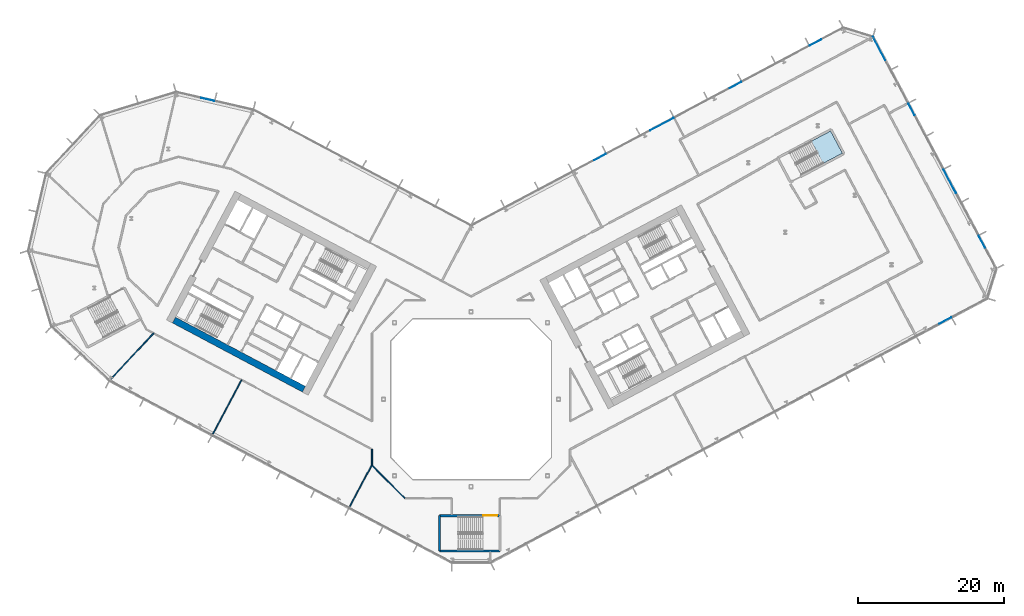
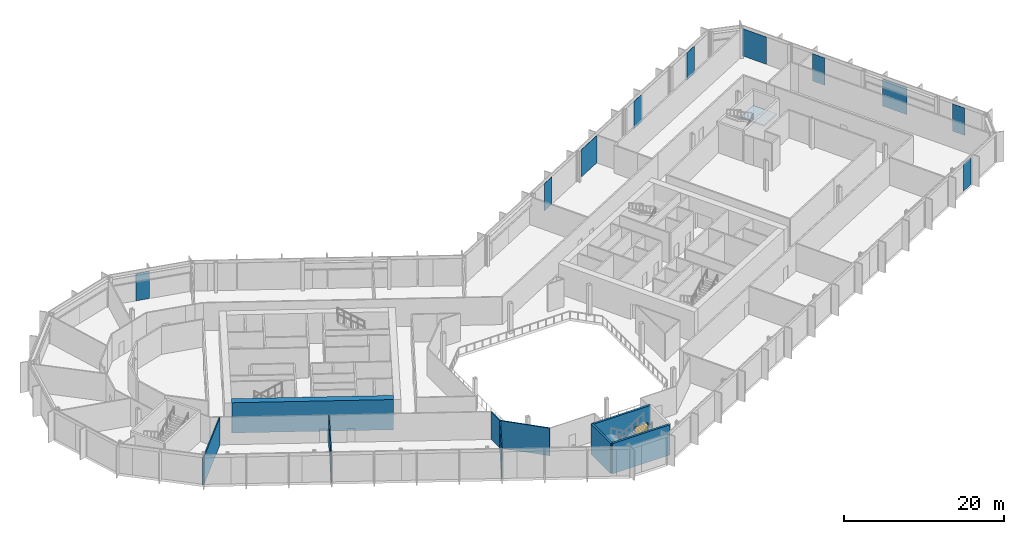
# One storey, part 13 of 30: 10 plates, 9 walls, 1 door, 1 slab, 1 opening, 5 elements without a shape of their own.
"""IFC4 building model written with IfcOpenShell, lengths in metres."""

from ifc_helpers import new_model, si_unit, direction, frame, frame_2d, origin, origin_2d, place, context, subcontext, project, spatial, polyline, rectangle, outline, extrude, material, layer, layer_set, type_object, element, fill, aggregate, save


model = new_model("IFC4")

# Units and contexts
model_context = context("Model", 3, precision=1e-05, world=origin(), true_north=direction((0.0, 1.0)))
body_context = subcontext(model_context, "Body", "Model", "MODEL_VIEW")
ifc_project = project(units=[si_unit("LENGTHUNIT", "METRE"), si_unit("AREAUNIT", "SQUARE_METRE"), si_unit("VOLUMEUNIT", "CUBIC_METRE"), si_unit("PLANEANGLEUNIT", "RADIAN"), si_unit("MASSUNIT", "GRAM", prefix="KILO")], contexts=[model_context])

# Site, building, storey
site_placement = place(None, origin())
site = spatial("IfcSite", under=ifc_project, at=site_placement, CompositionType="ELEMENT")
building_placement = place(site_placement, origin())
building = spatial("IfcBuilding", under=site, at=building_placement, Name="Cormorant Relay Tower", CompositionType="ELEMENT")
storey_placement = place(building_placement, frame((0.0, 0.0, 89.199951171875)))
storey = spatial("IfcBuildingStorey", under=building, at=storey_placement, Name="L17", CompositionType="ELEMENT", Elevation=89.199951171875)

# Curtain wall, plate
ifc_material_1 = material(Name="Aluminium 6063-T6 anodised bronze", Category="aluminium")
ifc_layer_1 = layer(ifc_material_1, 0.199951171875)
ifc_layer_set_1 = layer_set([ifc_layer_1], Name="CW1 unitised bronze curtain wall with vertical fins")
curtain_wall_type = type_object("IfcCurtainWallType", Name="CW1 unitised bronze curtain wall with vertical fins", PredefinedType="NOTDEFINED", material=ifc_layer_set_1)
curtain_wall_1_placement = place(storey_placement, origin())
curtain_wall_1 = element("IfcCurtainWall", 1, at=curtain_wall_1_placement, inside=storey, type_object=curtain_wall_type, Name="CW1 curtain wall 2", PredefinedType="NOTDEFINED")
ifc_material_2 = material(Name="Tinted laminated glass", Category="glass")
ifc_layer_2 = layer(ifc_material_2, 0.0400390625)
ifc_layer_set_2 = layer_set([ifc_layer_2], Name="CW1 tinted vision panel 1800 module")
plate_type_1 = type_object("IfcPlateType", Name="CW1 tinted vision panel 1800 module", PredefinedType="CURTAIN_PANEL", material=ifc_layer_set_2)
plate_1_placement = place(storey_placement, frame((65.064208984375, 10.78857421875, 0.0), z_axis=(0.0, 0.0, 1.0), x_axis=(0.882947592859, 0.469471562786, 0.0)))
plate_1 = element("IfcPlate", 2, at=plate_1_placement, type_object=plate_type_1, Name="CW1 panel V12", PredefinedType="CURTAIN_PANEL", context=body_context, shape_type="SweptSolid", body=[
    extrude(rectangle(XDim=1.800048828125, YDim=0.0400390625, at=origin_2d()), origin(), (0.0, 0.0, 1.0), 4.14990234375),
])
aggregate(curtain_wall_1, [plate_1])

# Curtain wall, plates
curtain_wall_2_placement = place(storey_placement, origin())
curtain_wall_2 = element("IfcCurtainWall", 3, at=curtain_wall_2_placement, inside=storey, type_object=curtain_wall_type, Name="CW1 curtain wall 4", PredefinedType="NOTDEFINED")
plate_2_placement = place(storey_placement, frame((70.083740234375, 21.598388671875, 0.0), z_axis=(0.0, 0.0, 1.0), x_axis=(-0.469471562786, 0.882947592859, 0.0)))
plate_2 = element("IfcPlate", 4, at=plate_2_placement, type_object=plate_type_1, Name="CW1 panel V01", PredefinedType="CURTAIN_PANEL", context=body_context, shape_type="SweptSolid", body=[
    extrude(rectangle(XDim=1.800048828125, YDim=0.0400390625, at=origin_2d()), origin(), (0.0, 0.0, 1.0), 4.14990234375),
])
plate_3_placement = place(storey_placement, frame((60.426025390625, 39.76171875, 0.0), z_axis=(0.0, 0.0, 1.0), x_axis=(-0.469471562786, 0.882947592859, 0.0)))
plate_3 = element("IfcPlate", 5, at=plate_3_placement, type_object=plate_type_1, Name="CW1 panel V05", PredefinedType="CURTAIN_PANEL", context=body_context, shape_type="SweptSolid", body=[
    extrude(rectangle(XDim=1.800048828125, YDim=0.0400390625, at=origin_2d()), origin(), (0.0, 0.0, 1.0), 4.14990234375),
])

curtain_wall_3_placement = place(storey_placement, origin())
curtain_wall_3 = element("IfcCurtainWall", 6, at=curtain_wall_3_placement, inside=storey, type_object=curtain_wall_type, Name="CW1 curtain wall 6", PredefinedType="NOTDEFINED")
plate_4_placement = place(storey_placement, frame((47.273681640625, 48.9423828125, 0.0), z_axis=(0.0, 0.0, 1.0), x_axis=(-0.882947592859, -0.469471562786, 0.0)))
plate_4 = element("IfcPlate", 7, at=plate_4_placement, type_object=plate_type_1, Name="CW1 panel V01", PredefinedType="CURTAIN_PANEL", context=body_context, shape_type="SweptSolid", body=[
    extrude(rectangle(XDim=1.800048828125, YDim=0.0400390625, at=origin_2d()), origin(), (0.0, 0.0, 1.0), 4.14990234375),
])
plate_5_placement = place(storey_placement, frame((36.267578125, 43.09033203125, 0.0), z_axis=(0.0, 0.0, 1.0), x_axis=(-0.882947592859, -0.469471562786, 0.0)))
plate_5 = element("IfcPlate", 8, at=plate_5_placement, type_object=plate_type_1, Name="CW1 panel V03", PredefinedType="CURTAIN_PANEL", context=body_context, shape_type="SweptSolid", body=[
    extrude(rectangle(XDim=1.800048828125, YDim=0.0400390625, at=origin_2d()), origin(), (0.0, 0.0, 1.0), 4.14990234375),
])
plate_6_placement = place(storey_placement, frame((17.698486328125, 33.21728515625, 0.0), z_axis=(0.0, 0.0, 1.0), x_axis=(-0.882947592859, -0.469471562786, 0.0)))
plate_6 = element("IfcPlate", 9, at=plate_6_placement, type_object=plate_type_1, Name="CW1 panel V07", PredefinedType="CURTAIN_PANEL", context=body_context, shape_type="SweptSolid", body=[
    extrude(rectangle(XDim=1.800048828125, YDim=0.0400390625, at=origin_2d()), origin(), (0.0, 0.0, 1.0), 4.14990234375),
])

# Curtain wall, plate
curtain_wall_4_placement = place(storey_placement, origin())
curtain_wall_4 = element("IfcCurtainWall", 10, at=curtain_wall_4_placement, inside=storey, type_object=curtain_wall_type, Name="CW1 curtain wall 8", PredefinedType="NOTDEFINED")
plate_7_placement = place(storey_placement, frame((-36.114990234375, 41.129638671875, 0.0), z_axis=(0.0, 0.0, 1.0), x_axis=(-0.974370064785, 0.224951054344, 0.0)))
plate_7 = element("IfcPlate", 11, at=plate_7_placement, type_object=plate_type_1, Name="CW1 panel V01", PredefinedType="CURTAIN_PANEL", context=body_context, shape_type="SweptSolid", body=[
    extrude(rectangle(XDim=1.800048828125, YDim=0.0400390625, at=origin_2d()), origin(), (0.0, 0.0, 1.0), 4.14990234375),
])
aggregate(curtain_wall_4, [plate_7])

# Plate
ifc_material_3 = material(Name="Tinted laminated glass", Category="glass")
ifc_layer_3 = layer(ifc_material_3, 0.0400390625)
ifc_layer_set_3 = layer_set([ifc_layer_3], Name="CW1 tinted vision panel 3600 module")
plate_type_2 = type_object("IfcPlateType", Name="CW1 tinted vision panel 3600 module", PredefinedType="CURTAIN_PANEL", material=ifc_layer_set_3)
plate_8_placement = place(storey_placement, frame((65.677490234375, 29.885498046875, 0.0), z_axis=(0.0, 0.0, 1.0), x_axis=(-0.469471562786, 0.882947592859, 0.0)))
plate_8 = element("IfcPlate", 12, at=plate_8_placement, type_object=plate_type_2, Name="CW1 panel V03", PredefinedType="CURTAIN_PANEL", context=body_context, shape_type="SweptSolid", body=[
    extrude(rectangle(XDim=3.60009765625, YDim=0.0400390625, at=origin_2d()), origin(), (0.0, 0.0, 1.0), 4.14990234375),
])

plate_9_placement = place(storey_placement, frame((55.984375, 48.114990234375, 0.0), z_axis=(0.0, 0.0, 1.0), x_axis=(-0.469471562786, 0.882947592859, 0.0)))
plate_9 = element("IfcPlate", 13, at=plate_9_placement, type_object=plate_type_2, Name="CW1 panel V07", PredefinedType="CURTAIN_PANEL", context=body_context, shape_type="SweptSolid", body=[
    extrude(rectangle(XDim=3.60009765625, YDim=0.0400390625, at=origin_2d()), origin(), (0.0, 0.0, 1.0), 4.14990234375),
])

aggregate(curtain_wall_2, [plate_2, plate_8, plate_3, plate_9])

plate_10_placement = place(storey_placement, frame((26.1884765625, 37.731201171875, 0.0), z_axis=(0.0, 0.0, 1.0), x_axis=(-0.882947592859, -0.469471562786, 0.0)))
plate_10 = element("IfcPlate", 14, at=plate_10_placement, type_object=plate_type_2, Name="CW1 panel V05", PredefinedType="CURTAIN_PANEL", context=body_context, shape_type="SweptSolid", body=[
    extrude(rectangle(XDim=3.60009765625, YDim=0.0400390625, at=origin_2d()), origin(), (0.0, 0.0, 1.0), 4.14990234375),
])

aggregate(curtain_wall_3, [plate_4, plate_5, plate_10, plate_6])

# Stair, slab
ifc_material_4 = material(Name="Concrete 40 MPa", Category="concrete")
stair_type = type_object("IfcStairType", Name="Exit stair 1500", PredefinedType="HALF_TURN_STAIR", material=ifc_material_4)
stair_placement = place(storey_placement, origin())
stair = element("IfcStair", 15, at=stair_placement, inside=storey, type_object=stair_type, Name="L17 Stair", PredefinedType="HALF_TURN_STAIR")
ifc_material_5 = material(Name="Concrete 40 MPa", Category="concrete")
ifc_layer_4 = layer(ifc_material_5, 0.199951171875)
ifc_layer_set_4 = layer_set([ifc_layer_4], Name="Exit stair landing 200")
slab_type = type_object("IfcSlabType", Name="Exit stair landing 200", PredefinedType="LANDING", material=ifc_layer_set_4)
slab_placement = place(storey_placement, frame((0.0, 0.0, 2.10009765625)))
slab = element("IfcSlab", 16, at=slab_placement, type_object=slab_type, Name="RB1 landing 1", PredefinedType="LANDING", context=body_context, shape_type="SweptSolid", body=[
    extrude(outline(polyline([(48.301513671875, 32.35107421875), (50.941650390625, 33.7548828125), (49.322021484375, 36.801025390625), (46.681884765625, 35.397216796875), (48.301513671875, 32.35107421875)])), origin(), (0.0, 0.0, 1.0), 0.199951171875),
])
aggregate(stair, [slab])

# Walls
ifc_material_6 = material(Name="Concrete 70 MPa", Category="concrete")
ifc_layer_5 = layer(ifc_material_6, 0.89990234375)
ifc_layer_set_5 = layer_set([ifc_layer_5], Name="Core wall 900")
wall_type_1 = type_object("IfcWallType", Name="Core wall 900", PredefinedType="SHEAR", material=ifc_layer_set_5)
wall_1_placement = place(storey_placement, frame((-22.93701171875, 1.3798828125, 0.0), z_axis=(0.0, 0.0, 1.0), x_axis=(-0.88295276571, 0.46946183394, 0.0)))
element("IfcWall", 17, at=wall_1_placement, inside=storey, type_object=wall_type_1, Name="L17 core A wall", PredefinedType="SHEAR", context=body_context, shape_type="SweptSolid", body=[
    extrude(rectangle(XDim=20.199951171875, YDim=0.89990234375, at=frame_2d((10.10009765625, 0.0))), origin(), (0.0, 0.0, 1.0), 4.60009765625),
])
ifc_material_7 = material(Name="Gypsum board partition")
ifc_layer_6 = layer(ifc_material_7, 0.14990234375)
ifc_layer_set_6 = layer_set([ifc_layer_6], Name="Gypsum board partition 150")
wall_type_2 = type_object("IfcWallType", Name="Gypsum board partition 150", PredefinedType="PARTITIONING", material=ifc_layer_set_6)
wall_2_placement = place(storey_placement, frame((-49.73291015625, 2.43310546875, 0.0), z_axis=(0.0, 0.0, 1.0), x_axis=(0.682002261255, 0.731350063679, 0.0)))
element("IfcWall", 18, at=wall_2_placement, inside=storey, type_object=wall_type_2, Name="wall/L17/part/10", PredefinedType="PARTITIONING", context=body_context, shape_type="SweptSolid", body=[
    extrude(rectangle(XDim=9.05859375, YDim=0.14990234375, at=frame_2d((4.529296875, 0.0))), origin(), (0.0, 0.0, 1.0), 4.199951171875),
])
wall_3_placement = place(storey_placement, frame((-31.4951171875, 2.64599609375, 0.0), z_axis=(0.0, 0.0, 1.0), x_axis=(-0.469461194384, -0.882953105758, 0.0)))
element("IfcWall", 19, at=wall_3_placement, inside=storey, type_object=wall_type_2, Name="wall/L17/part/11", PredefinedType="PARTITIONING", context=body_context, shape_type="SweptSolid", body=[
    extrude(rectangle(XDim=8.750244140625, YDim=0.14990234375, at=frame_2d((4.375, 0.0))), origin(), (0.0, 0.0, 1.0), 4.199951171875),
])
wall_4_placement = place(storey_placement, frame((-9.076904296875, -13.60009765625, 0.0), z_axis=(0.0, 0.0, 1.0), x_axis=(-0.707106781187, 0.707106781187, 0.0)))
element("IfcWall", 20, at=wall_4_placement, inside=storey, type_object=wall_type_2, Name="wall/L17/part/23", PredefinedType="PARTITIONING", context=body_context, shape_type="SweptSolid", body=[
    extrude(rectangle(XDim=6.396728515625, YDim=0.14990234375, at=frame_2d((3.1982421875, 0.0))), origin(), (0.0, 0.0, 1.0), 4.199951171875),
])
wall_5_placement = place(storey_placement, frame((-13.60009765625, -9.076904296875, 0.0), z_axis=(0.0, 0.0, 1.0), x_axis=(0.0, 1.0, 0.0)))
element("IfcWall", 21, at=wall_5_placement, inside=storey, type_object=wall_type_2, Name="wall/L17/part/24", PredefinedType="PARTITIONING", context=body_context, shape_type="SweptSolid", body=[
    extrude(rectangle(XDim=2.2080078125, YDim=0.14990234375, at=frame_2d((1.10400390625, 0.0))), origin(), (0.0, 0.0, 1.0), 4.199951171875),
])
wall_6_placement = place(storey_placement, frame((-13.60009765625, -8.998046875, 0.0), z_axis=(0.0, 0.0, 1.0), x_axis=(-0.469531053644, -0.882915958438, 0.0)))
element("IfcWall", 22, at=wall_6_placement, inside=storey, type_object=wall_type_2, Name="wall/L17/part/33", PredefinedType="PARTITIONING", context=body_context, shape_type="SweptSolid", body=[
    extrude(rectangle(XDim=6.870361328125, YDim=0.14990234375, at=frame_2d((3.43505859375, 0.0))), origin(), (0.0, 0.0, 1.0), 4.199951171875),
])
ifc_material_8 = material(Name="Concrete 50 MPa", Category="concrete")
ifc_layer_7 = layer(ifc_material_8, 0.300048828125)
ifc_layer_set_7 = layer_set([ifc_layer_7], Name="Remote stair wall 300")
wall_type_3 = type_object("IfcWallType", Name="Remote stair wall 300", PredefinedType="SHEAR", material=ifc_layer_set_7)
wall_7_placement = place(storey_placement, frame((3.949951171875, -20.824951171875, 0.0), z_axis=(0.0, 0.0, 1.0), x_axis=(-1.0, 0.0, 0.0)))
element("IfcWall", 23, at=wall_7_placement, inside=storey, type_object=wall_type_3, Name="L17 exit stair RK1 wall", PredefinedType="SHEAR", context=body_context, shape_type="SweptSolid", body=[
    extrude(rectangle(XDim=8.300048828125, YDim=0.300048828125, at=frame_2d((4.14990234375, 0.0))), origin(), (0.0, 0.0, 1.0), 4.60009765625),
])
wall_8_placement = place(storey_placement, frame((-4.35009765625, -20.824951171875, 0.0), z_axis=(0.0, 0.0, 1.0), x_axis=(0.0, 1.0, 0.0)))
element("IfcWall", 24, at=wall_8_placement, inside=storey, type_object=wall_type_3, Name="L17 exit stair RK1 wall", PredefinedType="SHEAR", context=body_context, shape_type="SweptSolid", body=[
    extrude(rectangle(XDim=4.849853515625, YDim=0.300048828125, at=frame_2d((2.4248046875, 0.0))), origin(), (0.0, 0.0, 1.0), 4.60009765625),
])

# Wall, opening, door
wall_9_placement = place(storey_placement, frame((-4.35009765625, -15.97509765625, 0.0), z_axis=(0.0, 0.0, 1.0), x_axis=(1.0, 0.0, 0.0)))
wall_9 = element("IfcWall", 25, at=wall_9_placement, inside=storey, type_object=wall_type_3, Name="L17 exit stair RK1 wall", PredefinedType="SHEAR", context=body_context, shape_type="SweptSolid", body=[
    extrude(rectangle(XDim=8.300048828125, YDim=0.300048828125, at=frame_2d((4.14990234375, 0.0))), origin(), (0.0, 0.0, 1.0), 4.60009765625),
])
opening_placement = place(wall_9_placement, frame((6.050048828125, 0.0, 0.0)))
opening = element("IfcOpeningElement", 26, at=opening_placement, cuts=wall_9, Name="Opening CDE-008", PredefinedType="OPENING", context=body_context, shape_type="SweptSolid", body=[
    extrude(rectangle(XDim=1.89990234375, YDim=2.10009765625, at=frame_2d((0.949951171875, 1.050048828125))), frame((0.0, 0.159912109375, 0.0), z_axis=(0.0, -1.0, 0.0), x_axis=(1.0, 0.0, 0.0)), (0.0, 0.0, 1.0), 0.320068359375),
])
ifc_material_9 = material(Name="Steel fire door", Category="steel")
door_type = type_object("IfcDoorType", Name="Remote stair door 1900x2100", OperationType="DOUBLE_DOOR_SINGLE_SWING", PredefinedType="DOOR", material=ifc_material_9)
door_placement = place(opening_placement, frame((1.89990234375, 0.0, 0.0), z_axis=(0.0, 0.0, 1.0), x_axis=(-1.0, 0.0, 0.0)))
door = element("IfcDoor", 27, at=door_placement, inside=storey, type_object=door_type, Name="Exit stair RK1 door", OperationType="DOUBLE_DOOR_SINGLE_SWING", OverallHeight=2.10009765625, OverallWidth=1.89990234375, PredefinedType="DOOR", context=body_context, shape_type="SweptSolid", body=[
    extrude(rectangle(XDim=1.89990234375, YDim=2.10009765625, at=frame_2d((0.949951171875, 1.050048828125))), frame((0.0, 0.02490234375, 0.0), z_axis=(0.0, -1.0, 0.0), x_axis=(1.0, 0.0, 0.0)), (0.0, 0.0, 1.0), 0.050048828125),
])
fill(opening, door)

save(model, "model.ifc")
